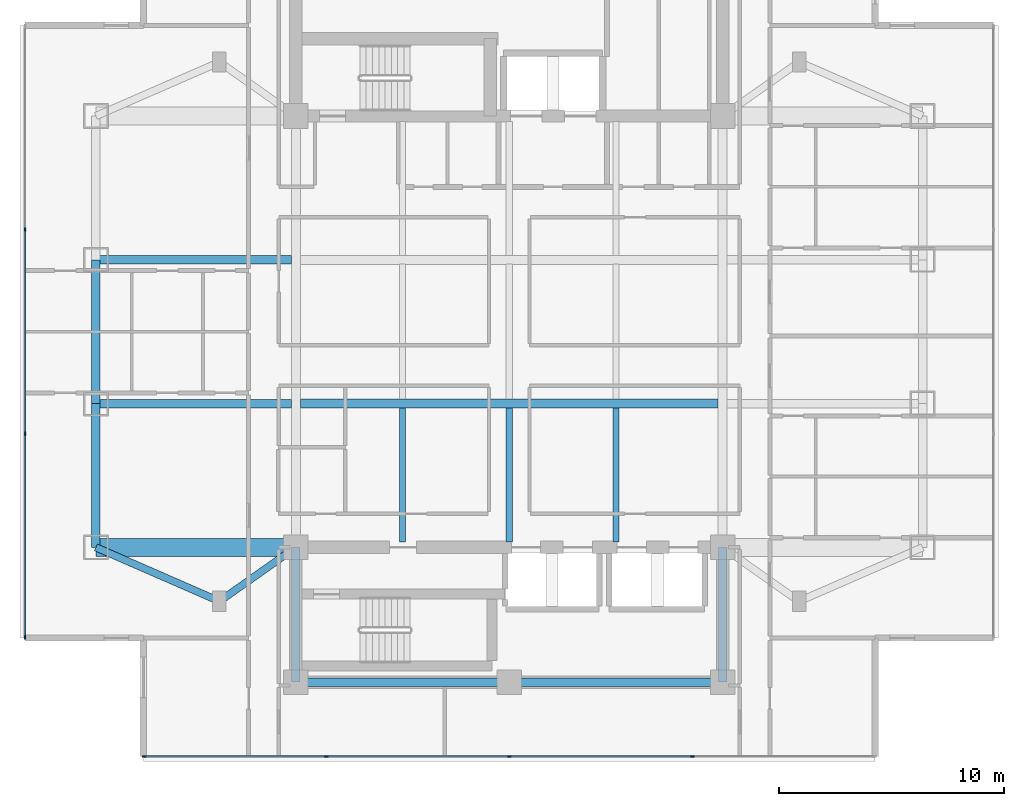
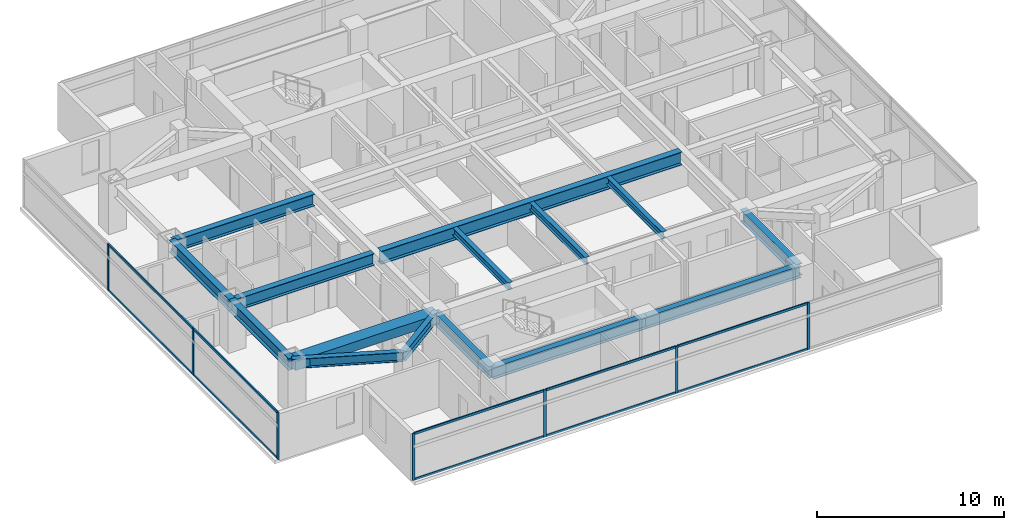
# One storey, part 2 of 24: 17 members, 15 beams, 2 elements without a shape of their own.
"""IFC4 building model written with IfcOpenShell, lengths in metres."""

from ifc_helpers import new_model, si_unit, direction, frame, origin, origin_2d, place, context, subcontext, project, spatial, rectangle, i_section, extrude, material, material_profile, profile_set, type_object, element, aggregate, save


model = new_model("IFC4")

# Units and contexts
model_context = context("Model", 3, precision=1e-05, world=origin(), true_north=direction((0.0, 1.0)))
body_context = subcontext(model_context, "Body", "Model", "MODEL_VIEW")
ifc_project = project(units=[si_unit("LENGTHUNIT", "METRE"), si_unit("AREAUNIT", "SQUARE_METRE"), si_unit("VOLUMEUNIT", "CUBIC_METRE"), si_unit("PLANEANGLEUNIT", "RADIAN"), si_unit("MASSUNIT", "GRAM", prefix="KILO")], contexts=[model_context])

# Site, building, storey
site_placement = place(None, origin())
site = spatial("IfcSite", under=ifc_project, at=site_placement, CompositionType="ELEMENT")
building_placement = place(site_placement, origin())
building = spatial("IfcBuilding", under=site, at=building_placement, Name="Mirazonda Arch Towers", CompositionType="ELEMENT")
storey_placement = place(building_placement, frame((0.0, 0.0, 137.89990234375)))
storey = spatial("IfcBuildingStorey", under=building, at=storey_placement, Name="L39", CompositionType="ELEMENT", Elevation=137.89990234375)

# Beams
ifc_material_1 = material(Name="Steel ASTM A992 Grade 50", Category="steel")
ifc_material_profile_1 = material_profile(ifc_material_1, i_section(OverallWidth=0.381103515625, OverallDepth=0.77294921875, WebThickness=0.0166015625, FlangeThickness=0.027099609375, at=origin_2d()), Name="W30X173")
ifc_profile_set_1 = profile_set([ifc_material_profile_1], Name="Steel ASTM A992 Grade 50")
beam_type_1 = type_object("IfcBeamType", Name="BM-EXT-W30X173", PredefinedType="USERDEFINED", material=ifc_profile_set_1)
beam_1_placement = place(storey_placement, frame((2.10009765625, 18.39990234375, 2.693603515625), z_axis=(0.0, 1.0, 0.0), x_axis=(-1.0, 0.0, 0.0)))
element("IfcBeam", 1, at=beam_1_placement, inside=storey, type_object=beam_type_1, Name="L39 Floor Beam BM-T1-L39-NS-W-18", ObjectType="GIRDER", PredefinedType="USERDEFINED", context=body_context, shape_type="SweptSolid", body=[
    extrude(i_section(OverallWidth=0.381103515625, OverallDepth=0.77294921875, WebThickness=0.0166015625, FlangeThickness=0.027099609375, at=origin_2d()), origin(), (0.0, 0.0, 1.0), 6.400146484375),
])
beam_2_placement = place(storey_placement, frame((2.10009765625, 24.800048828125, 2.693603515625), z_axis=(0.0, 1.0, 0.0), x_axis=(-1.0, 0.0, 0.0)))
element("IfcBeam", 2, at=beam_2_placement, inside=storey, type_object=beam_type_1, Name="L39 Floor Beam BM-T1-L39-NS-W-24", ObjectType="GIRDER", PredefinedType="USERDEFINED", context=body_context, shape_type="SweptSolid", body=[
    extrude(i_section(OverallWidth=0.381103515625, OverallDepth=0.77294921875, WebThickness=0.0166015625, FlangeThickness=0.027099609375, at=origin_2d()), origin(), (0.0, 0.0, 1.0), 6.39990234375),
])
ifc_material_profile_2 = material_profile(ifc_material_1, i_section(OverallWidth=0.280029296875, OverallDepth=0.462890625, WebThickness=0.0107421875, FlangeThickness=0.017333984375, at=origin_2d()), Name="W18X76")
ifc_profile_set_2 = profile_set([ifc_material_profile_2], Name="Steel ASTM A992 Grade 50")
beam_type_2 = type_object("IfcBeamType", Name="BM-INT-W18X76", PredefinedType="JOIST", material=ifc_profile_set_2)
for number, where, z_axis, x_axis, name in (
    (3, (15.75, 18.639892578125, 2.8486328125), (0.0, 1.0, 0.0), (-1.0, 0.0, 0.0), "L39 Floor Beam BM-T1-L39-J-157-18"),
    (4, (20.5, 18.639892578125, 2.8486328125), (0.0, 1.0, 0.0), (-1.0, 0.0, 0.0), "L39 Floor Beam BM-T1-L39-J-205-18"),
    (5, (25.25, 18.639892578125, 2.8486328125), (0.0, 1.0, 0.0), (-1.0, 0.0, 0.0), "L39 Floor Beam BM-T1-L39-J-252-18"),
):
    element("IfcBeam", number, at=place(storey_placement, frame(where, z_axis=z_axis, x_axis=x_axis)), inside=storey, type_object=beam_type_2, Name=name, PredefinedType="JOIST", context=body_context, shape_type="SweptSolid", body=[
        extrude(i_section(OverallWidth=0.280029296875, OverallDepth=0.462890625, WebThickness=0.0107421875, FlangeThickness=0.017333984375, at=origin_2d()), origin(), (0.0, 0.0, 1.0), 5.964111328125),
    ])
ifc_material_profile_3 = material_profile(ifc_material_1, i_section(OverallWidth=0.324951171875, OverallDepth=0.615966796875, WebThickness=0.013916015625, FlangeThickness=0.021484375, at=origin_2d()), Name="W24X117")
ifc_profile_set_3 = profile_set([ifc_material_profile_3], Name="Steel ASTM A992 Grade 50")
beam_type_3 = type_object("IfcBeamType", Name="BM-INT-W24X117", PredefinedType="BEAM", material=ifc_profile_set_3)
beam_3_placement = place(storey_placement, frame((7.60009765625, 16.0, 2.772216796875), z_axis=(0.816971114901, 0.576678591087, 0.0), x_axis=(-0.576678591087, 0.816971114901, 0.0)))
element("IfcBeam", 6, at=beam_3_placement, inside=storey, type_object=beam_type_3, Name="L39 Floor Beam BM-T1-L39-PL-SW1", PredefinedType="BEAM", context=body_context, shape_type="SweptSolid", body=[
    extrude(i_section(OverallWidth=0.324951171875, OverallDepth=0.615966796875, WebThickness=0.013916015625, FlangeThickness=0.021484375, at=origin_2d()), origin(), (0.0, 0.0, 1.0), 4.16162109375),
])
beam_4_placement = place(storey_placement, frame((7.60009765625, 16.0, 2.772216796875), z_axis=(-0.916545343703, 0.399930785183, 0.0), x_axis=(-0.399930785183, -0.916545343703, 0.0)))
element("IfcBeam", 7, at=beam_4_placement, inside=storey, type_object=beam_type_3, Name="L39 Floor Beam BM-T1-L39-PL-SW2", PredefinedType="BEAM", context=body_context, shape_type="SweptSolid", body=[
    extrude(i_section(OverallWidth=0.324951171875, OverallDepth=0.615966796875, WebThickness=0.013916015625, FlangeThickness=0.021484375, at=origin_2d()), origin(), (0.0, 0.0, 1.0), 6.000732421875),
])
ifc_material_profile_4 = material_profile(ifc_material_1, i_section(OverallWidth=0.381103515625, OverallDepth=0.77294921875, WebThickness=0.0166015625, FlangeThickness=0.027099609375, at=origin_2d()), Name="W30X173")
ifc_profile_set_4 = profile_set([ifc_material_profile_4], Name="Steel ASTM A992 Grade 50")
beam_type_4 = type_object("IfcBeamType", Name="BM-INT-W30X173", PredefinedType="USERDEFINED", material=ifc_profile_set_4)
for number, where, z_axis, x_axis, name in (
    (8, (2.10009765625, 24.800048828125, 2.693603515625), (1.0, 0.0, 0.0), (0.0, 1.0, 0.0), "L39 Floor Beam BM-T1-L39-GW2"),
    (9, (2.10009765625, 31.199951171875, 2.693603515625), (1.0, 0.0, 0.0), (0.0, 1.0, 0.0), "L39 Floor Beam BM-T1-L39-GW3"),
):
    element("IfcBeam", number, at=place(storey_placement, frame(where, z_axis=z_axis, x_axis=x_axis)), inside=storey, type_object=beam_type_4, Name=name, ObjectType="GIRDER", PredefinedType="USERDEFINED", context=body_context, shape_type="SweptSolid", body=[
        extrude(i_section(OverallWidth=0.381103515625, OverallDepth=0.77294921875, WebThickness=0.0166015625, FlangeThickness=0.027099609375, at=origin_2d()), origin(), (0.0, 0.0, 1.0), 8.699951171875),
    ])
for number, where, z_axis, x_axis, name in (
    (10, (11.0, 12.39990234375, 2.693603515625), (1.0, 0.0, 0.0), (0.0, 1.0, 0.0), "L39 Floor Beam BM-T1-L39-CS1"),
    (11, (20.5, 12.39990234375, 2.693603515625), (1.0, 0.0, 0.0), (0.0, 1.0, 0.0), "L39 Floor Beam BM-T1-L39-CS2"),
):
    element("IfcBeam", number, at=place(storey_placement, frame(where, z_axis=z_axis, x_axis=x_axis)), inside=storey, type_object=beam_type_4, Name=name, ObjectType="GIRDER", PredefinedType="USERDEFINED", context=body_context, shape_type="SweptSolid", body=[
        extrude(i_section(OverallWidth=0.381103515625, OverallDepth=0.77294921875, WebThickness=0.0166015625, FlangeThickness=0.027099609375, at=origin_2d()), origin(), (0.0, 0.0, 1.0), 9.5),
    ])
for number, where, z_axis, x_axis, name in (
    (12, (11.0, 12.39990234375, 2.693603515625), (0.0, 1.0, 0.0), (-1.0, 0.0, 0.0), "L39 Floor Beam BM-T1-L39-CSW"),
    (13, (30.0, 12.39990234375, 2.693603515625), (0.0, 1.0, 0.0), (-1.0, 0.0, 0.0), "L39 Floor Beam BM-T1-L39-CSE"),
):
    element("IfcBeam", number, at=place(storey_placement, frame(where, z_axis=z_axis, x_axis=x_axis)), inside=storey, type_object=beam_type_4, Name=name, ObjectType="GIRDER", PredefinedType="USERDEFINED", context=body_context, shape_type="SweptSolid", body=[
        extrude(i_section(OverallWidth=0.381103515625, OverallDepth=0.77294921875, WebThickness=0.0166015625, FlangeThickness=0.027099609375, at=origin_2d()), origin(), (0.0, 0.0, 1.0), 6.0),
    ])
ifc_material_profile_5 = material_profile(ifc_material_1, i_section(OverallWidth=0.39990234375, OverallDepth=0.85595703125, WebThickness=0.018310546875, FlangeThickness=0.029296875, at=origin_2d()), Name="W33X201")
ifc_profile_set_5 = profile_set([ifc_material_profile_5], Name="Steel ASTM A992 Grade 50")
beam_type_5 = type_object("IfcBeamType", Name="BM-INT-W33X201", PredefinedType="USERDEFINED", material=ifc_profile_set_5)
beam_5_placement = place(storey_placement, frame((11.199951171875, 24.800048828125, 2.652099609375), z_axis=(1.0, 0.0, 0.0), x_axis=(0.0, 1.0, 0.0)))
element("IfcBeam", 14, at=beam_5_placement, inside=storey, type_object=beam_type_5, Name="L39 Floor Beam BM-T1-L39-GC2", ObjectType="GIRDER", PredefinedType="USERDEFINED", context=body_context, shape_type="SweptSolid", body=[
    extrude(i_section(OverallWidth=0.39990234375, OverallDepth=0.85595703125, WebThickness=0.018310546875, FlangeThickness=0.029296875, at=origin_2d()), origin(), (0.0, 0.0, 1.0), 18.60009765625),
])
ifc_material_2 = material(Name="Concrete C60/75", Category="concrete")
ifc_material_profile_6 = material_profile(ifc_material_2, rectangle(XDim=0.800048828125, YDim=0.60009765625, at=origin_2d()), Name="RCCB800x600")
ifc_profile_set_6 = profile_set([ifc_material_profile_6], Name="Concrete C60/75")
beam_type_6 = type_object("IfcBeamType", Name="CB-INT-RCCB800x600", PredefinedType="SPANDREL", material=ifc_profile_set_6)
beam_6_placement = place(storey_placement, frame((2.10009765625, 18.39990234375, 2.780029296875), z_axis=(1.0, 0.0, 0.0), x_axis=(0.0, 1.0, 0.0)))
element("IfcBeam", 15, at=beam_6_placement, inside=storey, type_object=beam_type_6, Name="L39 Floor Beam CBC-T1-L39-SW", PredefinedType="SPANDREL", context=body_context, shape_type="SweptSolid", body=[
    extrude(rectangle(XDim=0.800048828125, YDim=0.60009765625, at=origin_2d()), origin(), (0.0, 0.0, 1.0), 8.89990234375),
])

# Curtain wall, members
ifc_material_3 = material(Name="Anodised Aluminium and Low-E Glass", Category="aluminium")
curtain_wall_type = type_object("IfcCurtainWallType", Name="CW-HTL-UNIT", PredefinedType="NOTDEFINED", material=ifc_material_3)
curtain_wall_1_placement = place(storey_placement, origin())
curtain_wall_1 = element("IfcCurtainWall", 16, at=curtain_wall_1_placement, inside=storey, type_object=curtain_wall_type, Name="L39 T1 S Facade CW-L39-T1-S", PredefinedType="NOTDEFINED")
ifc_material_4 = material(Name="Anodised Aluminium Alloy", Category="aluminium")
ifc_material_profile_7 = material_profile(ifc_material_4, rectangle(XDim=0.074951171875, YDim=0.1650390625, at=origin_2d()), Name="ALU-MULL-75x165")
ifc_profile_set_7 = profile_set([ifc_material_profile_7], Name="Anodised Aluminium Alloy")
member_type_1 = type_object("IfcMemberType", Name="MULL-CW-HTL-UNIT", PredefinedType="MULLION", material=ifc_profile_set_7)
member_1_placement = place(storey_placement, frame((28.64501953125, 9.092041015625, 0.0), z_axis=(0.0, 0.0, 1.0), x_axis=(0.0, -1.0, 0.0)))
member_1 = element("IfcMember", 17, at=member_1_placement, type_object=member_type_1, Name="CW-112 mullion 2", PredefinedType="MULLION", context=body_context, shape_type="SweptSolid", body=[
    extrude(rectangle(XDim=0.074951171875, YDim=0.1650390625, at=origin_2d()), origin(), (0.0, 0.0, 1.0), 3.06005859375),
])
member_2_placement = place(storey_placement, frame((20.5, 9.092041015625, 0.0), z_axis=(0.0, 0.0, 1.0), x_axis=(0.0, -1.0, 0.0)))
member_2 = element("IfcMember", 18, at=member_2_placement, type_object=member_type_1, Name="CW-112 mullion 3", PredefinedType="MULLION", context=body_context, shape_type="SweptSolid", body=[
    extrude(rectangle(XDim=0.074951171875, YDim=0.1650390625, at=origin_2d()), origin(), (0.0, 0.0, 1.0), 3.06005859375),
])
member_3_placement = place(storey_placement, frame((12.35498046875, 9.092041015625, 0.0), z_axis=(0.0, 0.0, 1.0), x_axis=(0.0, -1.0, 0.0)))
member_3 = element("IfcMember", 19, at=member_3_placement, type_object=member_type_1, Name="CW-112 mullion 4", PredefinedType="MULLION", context=body_context, shape_type="SweptSolid", body=[
    extrude(rectangle(XDim=0.074951171875, YDim=0.1650390625, at=origin_2d()), origin(), (0.0, 0.0, 1.0), 3.06005859375),
])
member_4_placement = place(storey_placement, frame((4.24755859375, 9.092041015625, 0.0), z_axis=(0.0, 0.0, 1.0), x_axis=(0.0, -1.0, 0.0)))
member_4 = element("IfcMember", 20, at=member_4_placement, type_object=member_type_1, Name="CW-112 mullion 5", PredefinedType="MULLION", context=body_context, shape_type="SweptSolid", body=[
    extrude(rectangle(XDim=0.074951171875, YDim=0.1650390625, at=origin_2d()), origin(), (0.0, 0.0, 1.0), 3.06005859375),
])

curtain_wall_2_placement = place(storey_placement, origin())
curtain_wall_2 = element("IfcCurtainWall", 21, at=curtain_wall_2_placement, inside=storey, type_object=curtain_wall_type, Name="L39 T1 W Facade CW-L39-T1-W", PredefinedType="NOTDEFINED")
member_5_placement = place(storey_placement, frame((-1.06005859375, 32.5458984375, 0.0), z_axis=(0.0, 0.0, 1.0), x_axis=(1.0, 0.0, 0.0)))
member_5 = element("IfcMember", 22, at=member_5_placement, type_object=member_type_1, Name="CW-112 mullion 2", PredefinedType="MULLION", context=body_context, shape_type="SweptSolid", body=[
    extrude(rectangle(XDim=0.074951171875, YDim=0.1650390625, at=origin_2d()), origin(), (0.0, 0.0, 1.0), 3.06005859375),
])
member_6_placement = place(storey_placement, frame((-1.06005859375, 23.4541015625, 0.0), z_axis=(0.0, 0.0, 1.0), x_axis=(1.0, 0.0, 0.0)))
member_6 = element("IfcMember", 23, at=member_6_placement, type_object=member_type_1, Name="CW-112 mullion 3", PredefinedType="MULLION", context=body_context, shape_type="SweptSolid", body=[
    extrude(rectangle(XDim=0.074951171875, YDim=0.1650390625, at=origin_2d()), origin(), (0.0, 0.0, 1.0), 3.06005859375),
])
member_7_placement = place(storey_placement, frame((-1.06005859375, 14.3994140625, 0.0), z_axis=(0.0, 0.0, 1.0), x_axis=(1.0, 0.0, 0.0)))
member_7 = element("IfcMember", 24, at=member_7_placement, type_object=member_type_1, Name="CW-112 mullion 4", PredefinedType="MULLION", context=body_context, shape_type="SweptSolid", body=[
    extrude(rectangle(XDim=0.074951171875, YDim=0.1650390625, at=origin_2d()), origin(), (0.0, 0.0, 1.0), 3.06005859375),
])

# Member
ifc_material_profile_8 = material_profile(ifc_material_4, rectangle(XDim=0.074951171875, YDim=0.14501953125, at=origin_2d()), Name="ALU-TRAN-75x145")
ifc_profile_set_8 = profile_set([ifc_material_profile_8], Name="Anodised Aluminium Alloy")
member_type_2 = type_object("IfcMemberType", Name="TRAN-CW-HTL-UNIT", PredefinedType="USERDEFINED", material=ifc_profile_set_8)
member_8_placement = place(storey_placement, frame((28.607421875, 9.092041015625, 0.03759765625), z_axis=(-1.0, 0.0, 0.0), x_axis=(0.0, -1.0, 0.0)))
member_8 = element("IfcMember", 25, at=member_8_placement, type_object=member_type_2, Name="CW-112 transom 2.1", ObjectType="TRANSOM", PredefinedType="USERDEFINED", context=body_context, shape_type="SweptSolid", body=[
    extrude(rectangle(XDim=0.074951171875, YDim=0.14501953125, at=origin_2d()), origin(), (0.0, 0.0, 1.0), 8.06982421875),
])

member_9_placement = place(storey_placement, frame((28.607421875, 9.092041015625, 3.022705078125), z_axis=(-1.0, 0.0, 0.0), x_axis=(0.0, -1.0, 0.0)))
member_9 = element("IfcMember", 26, at=member_9_placement, type_object=member_type_2, Name="CW-112 transom 2.2", ObjectType="TRANSOM", PredefinedType="USERDEFINED", context=body_context, shape_type="SweptSolid", body=[
    extrude(rectangle(XDim=0.074951171875, YDim=0.14501953125, at=origin_2d()), origin(), (0.0, 0.0, 1.0), 8.06982421875),
])

member_10_placement = place(storey_placement, frame((20.46240234375, 9.092041015625, 0.03759765625), z_axis=(-1.0, 0.0, 0.0), x_axis=(0.0, -1.0, 0.0)))
member_10 = element("IfcMember", 27, at=member_10_placement, type_object=member_type_2, Name="CW-112 transom 3.1", ObjectType="TRANSOM", PredefinedType="USERDEFINED", context=body_context, shape_type="SweptSolid", body=[
    extrude(rectangle(XDim=0.074951171875, YDim=0.14501953125, at=origin_2d()), origin(), (0.0, 0.0, 1.0), 8.06982421875),
])

member_11_placement = place(storey_placement, frame((20.46240234375, 9.092041015625, 3.022705078125), z_axis=(-1.0, 0.0, 0.0), x_axis=(0.0, -1.0, 0.0)))
member_11 = element("IfcMember", 28, at=member_11_placement, type_object=member_type_2, Name="CW-112 transom 3.2", ObjectType="TRANSOM", PredefinedType="USERDEFINED", context=body_context, shape_type="SweptSolid", body=[
    extrude(rectangle(XDim=0.074951171875, YDim=0.14501953125, at=origin_2d()), origin(), (0.0, 0.0, 1.0), 8.06982421875),
])

member_12_placement = place(storey_placement, frame((12.3173828125, 9.092041015625, 0.03759765625), z_axis=(-1.0, 0.0, 0.0), x_axis=(0.0, -1.0, 0.0)))
member_12 = element("IfcMember", 29, at=member_12_placement, type_object=member_type_2, Name="CW-112 transom 4.1", ObjectType="TRANSOM", PredefinedType="USERDEFINED", context=body_context, shape_type="SweptSolid", body=[
    extrude(rectangle(XDim=0.074951171875, YDim=0.14501953125, at=origin_2d()), origin(), (0.0, 0.0, 1.0), 8.032470703125),
])

member_13_placement = place(storey_placement, frame((12.3173828125, 9.092041015625, 3.022705078125), z_axis=(-1.0, 0.0, 0.0), x_axis=(0.0, -1.0, 0.0)))
member_13 = element("IfcMember", 30, at=member_13_placement, type_object=member_type_2, Name="CW-112 transom 4.2", ObjectType="TRANSOM", PredefinedType="USERDEFINED", context=body_context, shape_type="SweptSolid", body=[
    extrude(rectangle(XDim=0.074951171875, YDim=0.14501953125, at=origin_2d()), origin(), (0.0, 0.0, 1.0), 8.032470703125),
])

aggregate(curtain_wall_1, [member_1, member_2, member_3, member_4, member_8, member_9, member_10, member_11, member_12, member_13])

member_14_placement = place(storey_placement, frame((-1.06005859375, 32.508544921875, 0.03759765625), z_axis=(0.0, -1.0, 0.0), x_axis=(1.0, 0.0, 0.0)))
member_14 = element("IfcMember", 31, at=member_14_placement, type_object=member_type_2, Name="CW-112 transom 2.1", ObjectType="TRANSOM", PredefinedType="USERDEFINED", context=body_context, shape_type="SweptSolid", body=[
    extrude(rectangle(XDim=0.074951171875, YDim=0.14501953125, at=origin_2d()), origin(), (0.0, 0.0, 1.0), 9.01708984375),
])

member_15_placement = place(storey_placement, frame((-1.06005859375, 32.508544921875, 3.022705078125), z_axis=(0.0, -1.0, 0.0), x_axis=(1.0, 0.0, 0.0)))
member_15 = element("IfcMember", 32, at=member_15_placement, type_object=member_type_2, Name="CW-112 transom 2.2", ObjectType="TRANSOM", PredefinedType="USERDEFINED", context=body_context, shape_type="SweptSolid", body=[
    extrude(rectangle(XDim=0.074951171875, YDim=0.14501953125, at=origin_2d()), origin(), (0.0, 0.0, 1.0), 9.01708984375),
])

member_16_placement = place(storey_placement, frame((-1.06005859375, 23.41650390625, 0.03759765625), z_axis=(0.0, -1.0, 0.0), x_axis=(1.0, 0.0, 0.0)))
member_16 = element("IfcMember", 33, at=member_16_placement, type_object=member_type_2, Name="CW-112 transom 3.1", ObjectType="TRANSOM", PredefinedType="USERDEFINED", context=body_context, shape_type="SweptSolid", body=[
    extrude(rectangle(XDim=0.074951171875, YDim=0.14501953125, at=origin_2d()), origin(), (0.0, 0.0, 1.0), 8.9794921875),
])

member_17_placement = place(storey_placement, frame((-1.06005859375, 23.41650390625, 3.022705078125), z_axis=(0.0, -1.0, 0.0), x_axis=(1.0, 0.0, 0.0)))
member_17 = element("IfcMember", 34, at=member_17_placement, type_object=member_type_2, Name="CW-112 transom 3.2", ObjectType="TRANSOM", PredefinedType="USERDEFINED", context=body_context, shape_type="SweptSolid", body=[
    extrude(rectangle(XDim=0.074951171875, YDim=0.14501953125, at=origin_2d()), origin(), (0.0, 0.0, 1.0), 8.9794921875),
])

aggregate(curtain_wall_2, [member_5, member_6, member_7, member_14, member_15, member_16, member_17])

save(model, "model.ifc")
